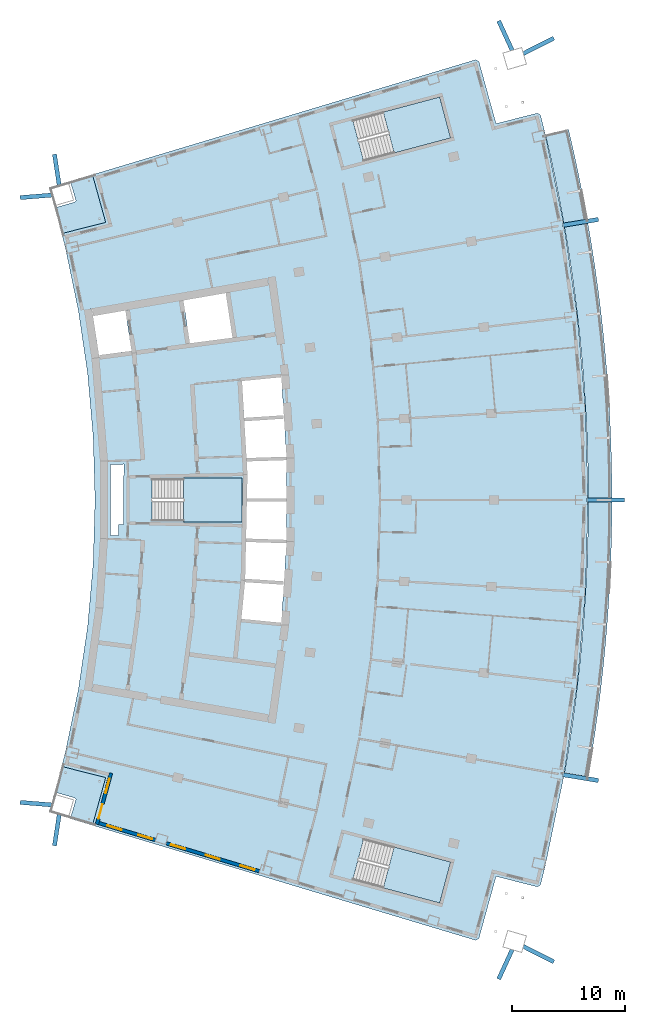
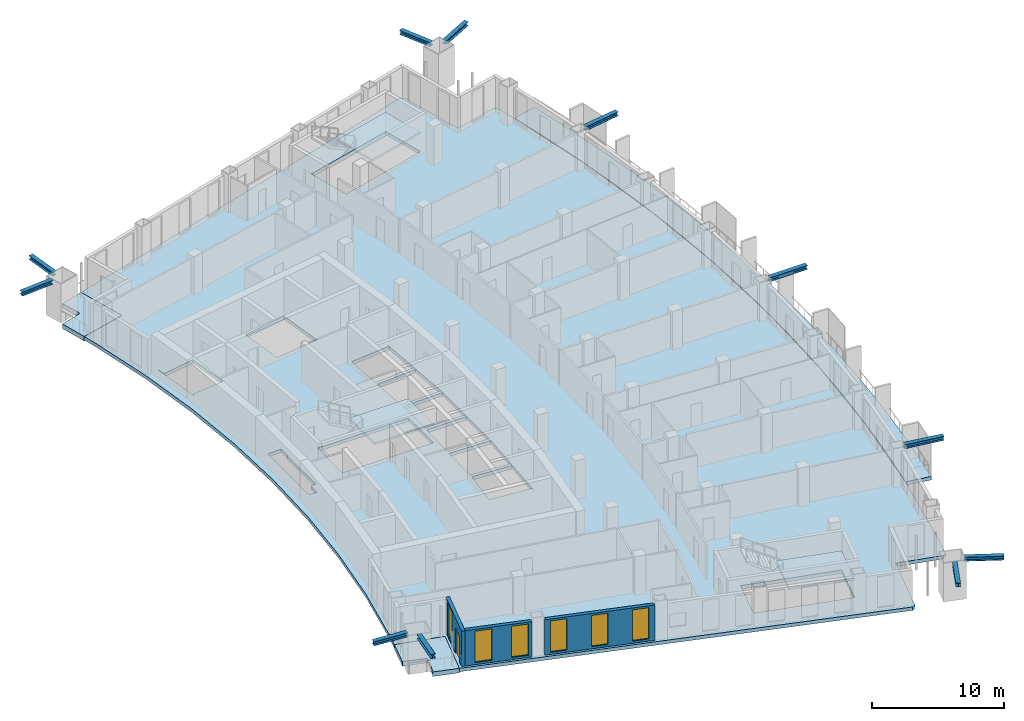
# One storey, part 10 of 20: 11 members, 7 slabs, 6 windows, 3 walls, 1 door, 7 openings, 3 elements without a shape of their own.
"""IFC4 building model written with IfcOpenShell, lengths in metres."""

from ifc_helpers import new_model, si_unit, direction, frame, frame_2d, origin, origin_2d, place, context, subcontext, project, spatial, polyline, rectangle, i_section, outline, extrude, material, layer, layer_set, material_profile, profile_set, type_object, element, fill, aggregate, save


model = new_model("IFC4")

# Units and contexts
model_context = context("Model", 3, precision=1e-05, world=origin(), true_north=direction((0.0, 1.0)))
body_context = subcontext(model_context, "Body", "Model", "MODEL_VIEW")
ifc_project = project(units=[si_unit("LENGTHUNIT", "METRE"), si_unit("AREAUNIT", "SQUARE_METRE"), si_unit("VOLUMEUNIT", "CUBIC_METRE"), si_unit("PLANEANGLEUNIT", "RADIAN"), si_unit("MASSUNIT", "GRAM", prefix="KILO")], contexts=[model_context])

# Site, building, storey
site_placement = place(None, origin())
site = spatial("IfcSite", under=ifc_project, at=site_placement, CompositionType="ELEMENT")
building_placement = place(site_placement, origin())
building = spatial("IfcBuilding", under=site, at=building_placement, Name="Alderwake Tower", CompositionType="ELEMENT")
storey_placement = place(building_placement, frame((0.0, 0.0, 178.39990234375)))
storey = spatial("IfcBuildingStorey", under=building, at=storey_placement, Name="L44", CompositionType="ELEMENT", Elevation=178.39990234375)

# Members
ifc_material_1 = material(Name="Steel ASTM A992 Grade 50", Category="steel")
ifc_material_profile = material_profile(ifc_material_1, i_section(OverallWidth=0.3740234375, OverallDepth=0.372314453125, WebThickness=0.016357421875, FlangeThickness=0.026123046875, at=origin_2d()), Name="W14X132")
ifc_profile_set = profile_set([ifc_material_profile], Name="Steel ASTM A992 Grade 50")
member_type = type_object("IfcMemberType", Name="Brace node stub W14X132", PredefinedType="MEMBER", material=ifc_profile_set)
member_1_placement = place(storey_placement, frame((57.369384765625, 36.7119140625, 3.393798828125), z_axis=(0.986824847463, -0.161792213751, 0.0), x_axis=(0.161792213751, 0.986824847463, 0.0)))
element("IfcMember", 1, at=member_1_placement, inside=storey, type_object=member_type, Name="Brace node stub BS.FR04-C5.1820", PredefinedType="MEMBER", context=body_context, shape_type="SweptSolid", body=[
    extrude(i_section(OverallWidth=0.3740234375, OverallDepth=0.372314453125, WebThickness=0.016357421875, FlangeThickness=0.026123046875, at=origin_2d()), origin(), (0.0, 0.0, 1.0), 3.1748046875),
])
member_2_placement = place(storey_placement, frame((53.85693359375, 21.541748046875, 3.393798828125), z_axis=(0.891247185853, -0.453517864818, 0.0), x_axis=(0.453517864818, 0.891247185853, 0.0)))
element("IfcMember", 2, at=member_2_placement, inside=storey, type_object=member_type, Name="Brace node stub BS.FR02-C5.1820", PredefinedType="MEMBER", context=body_context, shape_type="SweptSolid", body=[
    extrude(i_section(OverallWidth=0.3740234375, OverallDepth=0.372314453125, WebThickness=0.016357421875, FlangeThickness=0.026123046875, at=origin_2d()), origin(), (0.0, 0.0, 1.0), 3.03076171875),
])
member_3_placement = place(storey_placement, frame((59.5, 61.0, 3.393798828125), z_axis=(1.0, 0.0, 0.0), x_axis=(0.0, 1.0, 0.0)))
element("IfcMember", 3, at=member_3_placement, inside=storey, type_object=member_type, Name="Brace node stub BS.FR07-C5.1820", PredefinedType="MEMBER", context=body_context, shape_type="SweptSolid", body=[
    extrude(i_section(OverallWidth=0.3740234375, OverallDepth=0.372314453125, WebThickness=0.016357421875, FlangeThickness=0.026123046875, at=origin_2d()), origin(), (0.0, 0.0, 1.0), 3.3173828125),
])
member_4_placement = place(storey_placement, frame((57.369384765625, 85.2880859375, 3.393798828125), z_axis=(0.986824847463, 0.161792213751, 0.0), x_axis=(-0.161792213751, 0.986824847463, 0.0)))
element("IfcMember", 4, at=member_4_placement, inside=storey, type_object=member_type, Name="Brace node stub BS.FR10-C5.1820", PredefinedType="MEMBER", context=body_context, shape_type="SweptSolid", body=[
    extrude(i_section(OverallWidth=0.3740234375, OverallDepth=0.372314453125, WebThickness=0.016357421875, FlangeThickness=0.026123046875, at=origin_2d()), origin(), (0.0, 0.0, 1.0), 3.1748046875),
])
member_5_placement = place(storey_placement, frame((53.85693359375, 100.458251953125, 3.393798828125), z_axis=(0.891247185853, 0.453517864818, 0.0), x_axis=(-0.453517864818, 0.891247185853, 0.0)))
element("IfcMember", 5, at=member_5_placement, inside=storey, type_object=member_type, Name="Brace node stub BS.FR12-C5.1820", PredefinedType="MEMBER", context=body_context, shape_type="SweptSolid", body=[
    extrude(i_section(OverallWidth=0.3740234375, OverallDepth=0.372314453125, WebThickness=0.016357421875, FlangeThickness=0.026123046875, at=origin_2d()), origin(), (0.0, 0.0, 1.0), 3.03076171875),
])
for number, where, z_axis, x_axis, name in (
    (6, (12.188232421875, 34.04248046875, 3.393798828125), (-0.996647903134, 0.081810495531, 0.0), (-0.081810495531, -0.996647903134, 0.0), "Brace node stub BS.RR02-C0.1820"),
    (7, (12.188232421875, 87.95751953125, 3.393798828125), (-0.996647903134, -0.081810495531, 0.0), (0.081810495531, -0.996647903134, 0.0), "Brace node stub BS.RR12-C0.1820"),
):
    element("IfcMember", number, at=place(storey_placement, frame(where, z_axis=z_axis, x_axis=x_axis)), inside=storey, type_object=member_type, Name=name, PredefinedType="MEMBER", context=body_context, shape_type="SweptSolid", body=[
        extrude(i_section(OverallWidth=0.3740234375, OverallDepth=0.372314453125, WebThickness=0.016357421875, FlangeThickness=0.026123046875, at=origin_2d()), origin(), (0.0, 0.0, 1.0), 2.814208984375),
    ])
member_6_placement = place(storey_placement, frame((52.882568359375, 21.259521484375, 3.393798828125), z_axis=(-0.416941179755, -0.908933469856, 0.0), x_axis=(0.908933469856, -0.416941179755, 0.0)))
element("IfcMember", 8, at=member_6_placement, inside=storey, type_object=member_type, Name="Brace node stub BS.SR02-C5.1820", PredefinedType="MEMBER", context=body_context, shape_type="SweptSolid", body=[
    extrude(i_section(OverallWidth=0.3740234375, OverallDepth=0.372314453125, WebThickness=0.016357421875, FlangeThickness=0.026123046875, at=origin_2d()), origin(), (0.0, 0.0, 1.0), 2.875732421875),
])
member_7_placement = place(storey_placement, frame((12.848388671875, 33.28369140625, 3.393798828125), z_axis=(-0.149720039182, -0.988728430797, 0.0), x_axis=(0.988728430797, -0.149720039182, 0.0)))
element("IfcMember", 9, at=member_7_placement, inside=storey, type_object=member_type, Name="Brace node stub BS.SR02-C0.1820", PredefinedType="MEMBER", context=body_context, shape_type="SweptSolid", body=[
    extrude(i_section(OverallWidth=0.3740234375, OverallDepth=0.372314453125, WebThickness=0.016357421875, FlangeThickness=0.026123046875, at=origin_2d()), origin(), (0.0, 0.0, 1.0), 2.88134765625),
])
member_8_placement = place(storey_placement, frame((52.882568359375, 100.740478515625, 3.393798828125), z_axis=(-0.416941179755, 0.908933469856, 0.0), x_axis=(-0.908933469856, -0.416941179755, 0.0)))
element("IfcMember", 10, at=member_8_placement, inside=storey, type_object=member_type, Name="Brace node stub BS.NR12-C5.1820", PredefinedType="MEMBER", context=body_context, shape_type="SweptSolid", body=[
    extrude(i_section(OverallWidth=0.3740234375, OverallDepth=0.372314453125, WebThickness=0.016357421875, FlangeThickness=0.026123046875, at=origin_2d()), origin(), (0.0, 0.0, 1.0), 2.875732421875),
])
member_9_placement = place(storey_placement, frame((12.848388671875, 88.71630859375, 3.393798828125), z_axis=(-0.149720039182, 0.988728430797, 0.0), x_axis=(-0.988728430797, -0.149720039182, 0.0)))
element("IfcMember", 11, at=member_9_placement, inside=storey, type_object=member_type, Name="Brace node stub BS.NR12-C0.1820", PredefinedType="MEMBER", context=body_context, shape_type="SweptSolid", body=[
    extrude(i_section(OverallWidth=0.3740234375, OverallDepth=0.372314453125, WebThickness=0.016357421875, FlangeThickness=0.026123046875, at=origin_2d()), origin(), (0.0, 0.0, 1.0), 2.88134765625),
])

# Slabs
ifc_material_2 = material(Name="Concrete C50/60", Category="concrete")
ifc_layer_1 = layer(ifc_material_2, 0.320068359375)
ifc_layer_set_1 = layer_set([ifc_layer_1], Name="Balcony slab 320")
slab_type_1 = type_object("IfcSlabType", Name="Balcony slab 320", PredefinedType="FLOOR", material=ifc_layer_set_1)
slab_1_placement = place(storey_placement, frame((0.0, 0.0, -0.31982421875)))
element("IfcSlab", 12, at=slab_1_placement, inside=storey, type_object=slab_type_1, Name="Balcony BF04", PredefinedType="FLOOR", context=body_context, shape_type="SweptSolid", body=[
    extrude(outline(polyline([(59.880615234375, 38.3662109375), (60.19580078125, 40.40869140625), (60.481201171875, 42.455078125), (60.73681640625, 44.505859375), (60.96240234375, 46.559814453125), (61.157958984375, 48.6171875), (61.323486328125, 50.677001953125), (61.458984375, 52.739013671875), (61.564453125, 54.802490234375), (61.6396484375, 56.86767578125), (61.684814453125, 58.93359375), (61.699951171875, 61.0), (61.684814453125, 63.06640625), (61.6396484375, 65.13232421875), (61.564453125, 67.197509765625), (61.458984375, 69.260986328125), (61.323486328125, 71.322998046875), (61.157958984375, 73.3828125), (60.96240234375, 75.440185546875), (60.73681640625, 77.494140625), (60.481201171875, 79.544921875), (60.19580078125, 81.59130859375), (59.880615234375, 83.6337890625), (59.535888671875, 85.671142578125), (59.1611328125, 87.703369140625), (58.7568359375, 89.729736328125), (58.3232421875, 91.750244140625), (57.860107421875, 93.76416015625), (55.81689453125, 93.278564453125), (56.273193359375, 91.29443359375), (56.700439453125, 89.30419921875), (57.098876953125, 87.3076171875), (57.4677734375, 85.305419921875), (57.8076171875, 83.298095703125), (58.1181640625, 81.2861328125), (58.3994140625, 79.27001953125), (58.65087890625, 77.249755859375), (58.873291015625, 75.22607421875), (59.06591796875, 73.199462890625), (59.22900390625, 71.170166015625), (59.362548828125, 69.138671875), (59.46630859375, 67.105712890625), (59.54052734375, 65.071044921875), (59.585205078125, 63.035888671875), (59.60009765625, 61.0), (59.585205078125, 58.964111328125), (59.54052734375, 56.928955078125), (59.46630859375, 54.894287109375), (59.362548828125, 52.861328125), (59.22900390625, 50.829833984375), (59.06591796875, 48.800537109375), (58.873291015625, 46.77392578125), (58.65087890625, 44.750244140625), (58.3994140625, 42.72998046875), (58.1181640625, 40.7138671875), (57.8076171875, 38.701904296875), (57.4677734375, 36.694580078125), (59.535888671875, 36.328857421875), (59.880615234375, 38.3662109375)])), origin(), (0.0, 0.0, 1.0), 0.31982421875),
])
ifc_material_3 = material(Name="Concrete C50/60", Category="concrete")
ifc_layer_2 = layer(ifc_material_3, 0.320068359375)
ifc_layer_set_2 = layer_set([ifc_layer_2], Name="Concrete C50/60 post-tensioned flat plate 320")
slab_type_2 = type_object("IfcSlabType", Name="Concrete C50/60 post-tensioned flat plate 320", PredefinedType="FLOOR", material=ifc_layer_set_2)
slab_2_placement = place(storey_placement, frame((0.0, 0.0, -0.31982421875)))
element("IfcSlab", 13, at=slab_2_placement, inside=storey, type_object=slab_type_2, Name="Floor slab L44", PredefinedType="FLOOR", context=body_context, shape_type="SweptSolid", body=[
    extrude(outline(polyline([(13.06494140625, 37.443115234375), (13.3984375, 38.802734375), (14.53369140625, 44.28564453125), (15.347412109375, 49.825439453125), (15.836669921875, 55.4033203125), (16.0, 61.0), (15.836669921875, 66.5966796875), (15.347412109375, 72.174560546875), (14.53369140625, 77.71435546875), (13.3984375, 83.197265625), (13.06494140625, 84.556884765625), (16.942626953125, 85.53857421875), (15.776611328125, 89.7548828125), (49.65283203125, 99.925537109375), (49.934326171875, 99.77001953125), (51.4541015625, 94.274169921875), (55.10888671875, 95.19921875), (55.38671875, 95.0322265625), (55.81689453125, 93.278564453125), (57.4677734375, 85.305419921875), (58.65087890625, 77.249755859375), (59.362548828125, 69.138671875), (59.60009765625, 61.0), (59.362548828125, 52.861328125), (58.65087890625, 44.750244140625), (57.4677734375, 36.694580078125), (55.81689453125, 28.721435546875), (55.38671875, 26.9677734375), (55.10888671875, 26.80078125), (51.4541015625, 27.725830078125), (49.934326171875, 22.22998046875), (49.65283203125, 22.074462890625), (15.776611328125, 32.2451171875), (16.942626953125, 36.46142578125), (13.06494140625, 37.443115234375)]), holes=[polyline([(29.25732421875, 53.7685546875), (28.939697265625, 50.49072265625), (32.447509765625, 50.147705078125), (32.432861328125, 49.998291015625), (32.462646484375, 49.995361328125), (32.701416015625, 53.660888671875), (32.940185546875, 57.32666015625), (32.940185546875, 61.0), (32.940185546875, 64.67333984375), (32.701416015625, 68.339111328125), (32.462646484375, 72.004638671875), (32.432861328125, 72.001708984375), (32.447509765625, 71.852294921875), (28.886962890625, 71.50390625), (28.88720703125, 71.50048828125), (28.99462890625, 71.506591796875), (29.184814453125, 68.26025390625), (32.66162109375, 68.48681640625), (32.67138671875, 68.337158203125), (32.68115234375, 68.1875), (29.2021484375, 67.960693359375), (29.392578125, 64.7080078125), (32.9052734375, 64.822265625), (32.91015625, 64.67236328125), (32.9150390625, 64.5224609375), (29.41015625, 64.408447265625), (29.4765625, 63.27685546875), (29.429443359375, 61.14990234375), (32.91015625, 61.14990234375), (32.91015625, 61.0), (32.91015625, 60.85009765625), (29.4228515625, 60.85009765625), (29.350830078125, 57.593505859375), (32.9150390625, 57.4775390625), (32.91015625, 57.32763671875), (32.9052734375, 57.177734375), (29.34423828125, 57.29345703125), (29.2705078125, 53.9697265625), (29.274169921875, 53.969482421875), (29.2783203125, 54.0341796875), (32.68115234375, 53.8125), (32.67138671875, 53.662841796875), (32.66162109375, 53.51318359375), (29.2587890625, 53.73486328125), (29.260986328125, 53.768310546875), (29.25732421875, 53.7685546875)]), polyline([(21.050048828125, 62.875), (21.050048828125, 59.125), (29.0, 59.125), (29.0, 62.875), (21.050048828125, 62.875)]), polyline([(15.739013671875, 77.927490234375), (15.5361328125, 77.8916015625), (15.536865234375, 77.887939453125), (15.716796875, 77.91552734375), (16.379150390625, 73.605712890625), (16.4091796875, 73.609619140625), (16.38330078125, 73.80810546875), (19.224853515625, 74.1796875), (18.689697265625, 77.74365234375), (18.885986328125, 77.773193359375), (18.8837890625, 77.787109375), (15.854248046875, 77.261962890625), (15.739013671875, 77.927490234375)]), polyline([(27.555419921875, 79.29052734375), (23.811767578125, 78.6416015625), (24.384033203125, 74.8583984375), (24.373291015625, 74.856689453125), (24.373779296875, 74.85302734375), (28.152587890625, 75.347412109375), (27.555419921875, 79.29052734375)]), polyline([(47.436279296875, 28.996826171875), (39.754150390625, 31.043212890625), (38.7890625, 27.41943359375), (46.47119140625, 25.373291015625), (47.436279296875, 28.996826171875)]), polyline([(46.47119140625, 96.626708984375), (38.7890625, 94.58056640625), (39.754150390625, 90.956787109375), (47.436279296875, 93.003173828125), (46.47119140625, 96.626708984375)]), polyline([(17.389404296875, 64.1220703125), (17.389404296875, 57.8779296875), (18.06298828125, 57.85400390625), (18.090576171875, 58.84375), (18.544189453125, 58.831298828125), (18.529296875, 58.8681640625), (18.5234375, 58.891845703125), (18.5185546875, 58.940673828125), (18.5185546875, 63.060302734375), (18.5234375, 63.109130859375), (18.53759765625, 63.156005859375), (18.560791015625, 63.19921875), (18.588623046875, 63.2333984375), (18.562744140625, 64.16357421875), (17.389404296875, 64.1220703125)])]), origin(), (0.0, 0.0, 1.0), 0.31982421875),
])

# Stair, slab
ifc_material_4 = material(Name="Concrete C40/50", Category="concrete")
stair_type = type_object("IfcStairType", Name="Core exit stair", PredefinedType="HALF_TURN_STAIR", material=ifc_material_4)
stair_1_placement = place(storey_placement, origin())
stair_1 = element("IfcStair", 14, at=stair_1_placement, inside=storey, type_object=stair_type, Name="L44 Exit Stair B", PredefinedType="HALF_TURN_STAIR")
ifc_material_5 = material(Name="Concrete C40/50", Category="concrete")
ifc_layer_3 = layer(ifc_material_5, 0.199951171875)
ifc_layer_set_3 = layer_set([ifc_layer_3], Name="Core stair landing 200")
slab_type_3 = type_object("IfcSlabType", Name="Core stair landing 200", PredefinedType="LANDING", material=ifc_layer_set_3)
slab_3_placement = place(storey_placement, frame((0.0, 0.0, 1.60009765625)))
slab_3 = element("IfcSlab", 15, at=slab_3_placement, type_object=slab_type_3, Name="ST-B landing 1", PredefinedType="LANDING", context=body_context, shape_type="SweptSolid", body=[
    extrude(outline(polyline([(23.830078125, 59.074951171875), (29.0, 59.074951171875), (29.0, 62.925048828125), (23.830078125, 62.925048828125), (23.830078125, 59.074951171875)])), origin(), (0.0, 0.0, 1.0), 0.199951171875),
])
aggregate(stair_1, [slab_3])

stair_2_placement = place(storey_placement, origin())
stair_2 = element("IfcStair", 16, at=stair_2_placement, inside=storey, type_object=stair_type, Name="L44 Exit Stair A", PredefinedType="HALF_TURN_STAIR")
slab_4_placement = place(storey_placement, frame((0.0, 0.0, 1.60009765625)))
slab_4 = element("IfcSlab", 17, at=slab_4_placement, type_object=slab_type_3, Name="ST-A landing 1", PredefinedType="LANDING", context=body_context, shape_type="SweptSolid", body=[
    extrude(outline(polyline([(42.440673828125, 91.67236328125), (47.436279296875, 93.003173828125), (46.47119140625, 96.626708984375), (41.475341796875, 95.296142578125), (42.440673828125, 91.67236328125)])), origin(), (0.0, 0.0, 1.0), 0.199951171875),
])
aggregate(stair_2, [slab_4])

stair_3_placement = place(storey_placement, origin())
stair_3 = element("IfcStair", 18, at=stair_3_placement, inside=storey, type_object=stair_type, Name="L44 Exit Stair C", PredefinedType="HALF_TURN_STAIR")
slab_5_placement = place(storey_placement, frame((0.0, 0.0, 1.60009765625)))
slab_5 = element("IfcSlab", 19, at=slab_5_placement, type_object=slab_type_3, Name="ST-C landing 1", PredefinedType="LANDING", context=body_context, shape_type="SweptSolid", body=[
    extrude(outline(polyline([(41.475341796875, 26.703857421875), (46.47119140625, 25.373291015625), (47.436279296875, 28.996826171875), (42.4404296875, 30.32763671875), (41.475341796875, 26.703857421875)])), origin(), (0.0, 0.0, 1.0), 0.199951171875),
])
aggregate(stair_3, [slab_5])

# Slabs
ifc_material_6 = material(Name="Concrete C50/60", Category="concrete")
ifc_layer_4 = layer(ifc_material_6, 0.419921875)
ifc_layer_set_4 = layer_set([ifc_layer_4], Name="Terrace slab 420")
slab_type_4 = type_object("IfcSlabType", Name="Terrace slab 420", PredefinedType="FLOOR", material=ifc_layer_set_4)
slab_6_placement = place(storey_placement, frame((0.0, 0.0, -0.419921875)))
element("IfcSlab", 20, at=slab_6_placement, inside=storey, type_object=slab_type_4, Name="Corner terrace RS", PredefinedType="FLOOR", context=body_context, shape_type="SweptSolid", body=[
    extrude(outline(polyline([(15.776611328125, 32.2451171875), (13.768798828125, 32.847900390625), (13.77685546875, 32.851806640625), (13.789306640625, 32.859619140625), (13.801025390625, 32.868408203125), (13.81201171875, 32.878662109375), (13.82177734375, 32.8896484375), (13.830322265625, 32.901611328125), (13.837646484375, 32.914306640625), (13.84375, 32.927490234375), (13.8486328125, 32.94140625), (14.29443359375, 34.478271484375), (14.2978515625, 34.492431640625), (14.2998046875, 34.507080078125), (14.30029296875, 34.521728515625), (14.29931640625, 34.53662109375), (14.297119140625, 34.551025390625), (14.29345703125, 34.565185546875), (14.2880859375, 34.5791015625), (14.28173828125, 34.59228515625), (14.27392578125, 34.604736328125), (14.26513671875, 34.616455078125), (14.255126953125, 34.627197265625), (14.244140625, 34.63720703125), (14.232177734375, 34.645751953125), (14.219482421875, 34.653076171875), (14.2060546875, 34.6591796875), (14.192138671875, 34.6640625), (12.46337890625, 35.16552734375), (12.456787109375, 35.1669921875), (12.71142578125, 36.08837890625), (13.06494140625, 37.443115234375), (16.942626953125, 36.46142578125), (15.776611328125, 32.2451171875)])), origin(), (0.0, 0.0, 1.0), 0.419921875),
])
slab_7_placement = place(storey_placement, frame((0.0, 0.0, -0.419921875)))
element("IfcSlab", 21, at=slab_7_placement, inside=storey, type_object=slab_type_4, Name="Corner terrace RN", PredefinedType="FLOOR", context=body_context, shape_type="SweptSolid", body=[
    extrude(outline(polyline([(12.456787109375, 86.8330078125), (12.46337890625, 86.83447265625), (14.192138671875, 87.3359375), (14.2060546875, 87.3408203125), (14.219482421875, 87.346923828125), (14.232177734375, 87.354248046875), (14.244140625, 87.36279296875), (14.255126953125, 87.372802734375), (14.26513671875, 87.383544921875), (14.27392578125, 87.395263671875), (14.28173828125, 87.40771484375), (14.2880859375, 87.4208984375), (14.29345703125, 87.434814453125), (14.297119140625, 87.448974609375), (14.29931640625, 87.46337890625), (14.30029296875, 87.478271484375), (14.2998046875, 87.492919921875), (14.2978515625, 87.507568359375), (14.29443359375, 87.521728515625), (13.8486328125, 89.05859375), (13.84375, 89.072509765625), (13.837646484375, 89.085693359375), (13.830322265625, 89.098388671875), (13.82177734375, 89.1103515625), (13.81201171875, 89.121337890625), (13.801025390625, 89.131591796875), (13.789306640625, 89.140380859375), (13.77685546875, 89.148193359375), (13.768798828125, 89.152099609375), (15.776611328125, 89.7548828125), (16.942626953125, 85.53857421875), (13.06494140625, 84.556884765625), (12.71142578125, 85.91162109375), (12.456787109375, 86.8330078125)])), origin(), (0.0, 0.0, 1.0), 0.419921875),
])

# Wall, openings, door, window
ifc_material_7 = material(Name="Bronze metal cladding on lightweight framing")
ifc_layer_5 = layer(ifc_material_7, 0.300048828125)
ifc_layer_set_5 = layer_set([ifc_layer_5], Name="External wall EW2 bronze metal cladding")
wall_type = type_object("IfcWallType", Name="External wall EW2 bronze metal cladding", PredefinedType="SOLIDWALL", material=ifc_layer_set_5)
wall_1_placement = place(storey_placement, frame((17.410400390625, 36.85888671875, 0.0), z_axis=(0.0, 0.0, 1.0), x_axis=(-0.264592640785, -0.96436027212, 0.0)))
wall_1 = element("IfcWall", 22, at=wall_1_placement, inside=storey, type_object=wall_type, Name="External wall 3", PredefinedType="SOLIDWALL", context=body_context, shape_type="SweptSolid", body=[
    extrude(rectangle(XDim=4.690185546875, YDim=0.300048828125, at=frame_2d((2.34521484375, 0.0))), origin(), (0.0, 0.0, 1.0), 3.280029296875),
])
opening_1_placement = place(wall_1_placement, frame((0.5224609375, 0.0, 0.199951171875)))
opening_1 = element("IfcOpeningElement", 23, at=opening_1_placement, cuts=wall_1, Name="Opening W1", PredefinedType="OPENING", context=body_context, shape_type="SweptSolid", body=[
    extrude(rectangle(XDim=1.300048828125, YDim=2.89990234375, at=frame_2d((0.64990234375, 1.449951171875))), frame((0.0, 0.159912109375, 0.0), z_axis=(0.0, -1.0, 0.0), x_axis=(1.0, 0.0, 0.0)), (0.0, 0.0, 1.0), 0.320068359375),
])
opening_2_placement = place(wall_1_placement, frame((2.867431640625, 0.0, 0.0)))
opening_2 = element("IfcOpeningElement", 24, at=opening_2_placement, cuts=wall_1, Name="Opening D01", PredefinedType="OPENING", context=body_context, shape_type="SweptSolid", body=[
    extrude(rectangle(XDim=1.300048828125, YDim=2.39990234375, at=frame_2d((0.64990234375, 1.199951171875))), frame((0.0, 0.159912109375, 0.0), z_axis=(0.0, -1.0, 0.0), x_axis=(1.0, 0.0, 0.0)), (0.0, 0.0, 1.0), 0.320068359375),
])
ifc_material_8 = material(Name="Bronze tinted glass in aluminium frame", Category="aluminium")
door_type = type_object("IfcDoorType", Name="Balcony door BD sliding", OperationType="SLIDING_TO_LEFT", PredefinedType="DOOR", material=ifc_material_8)
door_placement = place(opening_2_placement, origin())
door = element("IfcDoor", 25, at=door_placement, inside=storey, type_object=door_type, Name="Door D01", OperationType="SLIDING_TO_LEFT", OverallHeight=2.39990234375, OverallWidth=1.300048828125, PredefinedType="DOOR", context=body_context, shape_type="SweptSolid", body=[
    extrude(rectangle(XDim=1.300048828125, YDim=2.39990234375, at=frame_2d((0.64990234375, 1.199951171875))), frame((0.0, 0.02490234375, 0.0), z_axis=(0.0, -1.0, 0.0), x_axis=(1.0, 0.0, 0.0)), (0.0, 0.0, 1.0), 0.050048828125),
])
fill(opening_2, door)
ifc_material_9 = material(Name="Bronze tinted glass in aluminium frame", Category="aluminium")
window_type = type_object("IfcWindowType", Name="Window W1 tall fixed and vent", PartitioningType="DOUBLE_PANEL_VERTICAL", PredefinedType="WINDOW", material=ifc_material_9)
window_1_placement = place(opening_1_placement, origin())
window_1 = element("IfcWindow", 26, at=window_1_placement, inside=storey, type_object=window_type, Name="Window W1 tall fixed and vent", OverallHeight=2.89990234375, OverallWidth=1.300048828125, PartitioningType="DOUBLE_PANEL_VERTICAL", PredefinedType="WINDOW", context=body_context, shape_type="SweptSolid", body=[
    extrude(rectangle(XDim=1.300048828125, YDim=2.89990234375, at=frame_2d((0.64990234375, 1.449951171875))), frame((0.0, 0.030029296875, 0.0), z_axis=(0.0, -1.0, 0.0), x_axis=(1.0, 0.0, 0.0)), (0.0, 0.0, 1.0), 0.06005859375),
])
fill(opening_1, window_1)

# Wall, openings, windows
wall_2_placement = place(storey_placement, frame((16.352783203125, 32.4375, 0.0), z_axis=(0.0, 0.0, 1.0), x_axis=(0.95776681843, -0.287546033732, 0.0)))
wall_2 = element("IfcWall", 27, at=wall_2_placement, inside=storey, type_object=wall_type, Name="External wall 4", PredefinedType="SOLIDWALL", context=body_context, shape_type="SweptSolid", body=[
    extrude(rectangle(XDim=5.199462890625, YDim=0.300048828125, at=frame_2d((2.599609375, 0.0))), origin(), (0.0, 0.0, 1.0), 3.280029296875),
])
opening_3_placement = place(wall_2_placement, frame((0.775390625, 0.0, 0.199951171875)))
opening_3 = element("IfcOpeningElement", 28, at=opening_3_placement, cuts=wall_2, Name="Opening W1", PredefinedType="OPENING", context=body_context, shape_type="SweptSolid", body=[
    extrude(rectangle(XDim=1.300048828125, YDim=2.89990234375, at=frame_2d((0.64990234375, 1.449951171875))), frame((0.0, 0.159912109375, 0.0), z_axis=(0.0, -1.0, 0.0), x_axis=(1.0, 0.0, 0.0)), (0.0, 0.0, 1.0), 0.320068359375),
])
opening_4_placement = place(wall_2_placement, frame((3.626220703125, 0.0, 0.199951171875)))
opening_4 = element("IfcOpeningElement", 29, at=opening_4_placement, cuts=wall_2, Name="Opening W1", PredefinedType="OPENING", context=body_context, shape_type="SweptSolid", body=[
    extrude(rectangle(XDim=1.300048828125, YDim=2.89990234375, at=frame_2d((0.64990234375, 1.449951171875))), frame((0.0, 0.159912109375, 0.0), z_axis=(0.0, -1.0, 0.0), x_axis=(1.0, 0.0, 0.0)), (0.0, 0.0, 1.0), 0.320068359375),
])
window_2_placement = place(opening_3_placement, origin())
window_2 = element("IfcWindow", 30, at=window_2_placement, inside=storey, type_object=window_type, Name="Window W1 tall fixed and vent", OverallHeight=2.89990234375, OverallWidth=1.300048828125, PartitioningType="DOUBLE_PANEL_VERTICAL", PredefinedType="WINDOW", context=body_context, shape_type="SweptSolid", body=[
    extrude(rectangle(XDim=1.300048828125, YDim=2.89990234375, at=frame_2d((0.64990234375, 1.449951171875))), frame((0.0, 0.030029296875, 0.0), z_axis=(0.0, -1.0, 0.0), x_axis=(1.0, 0.0, 0.0)), (0.0, 0.0, 1.0), 0.06005859375),
])
fill(opening_3, window_2)
window_3_placement = place(opening_4_placement, origin())
window_3 = element("IfcWindow", 31, at=window_3_placement, inside=storey, type_object=window_type, Name="Window W1 tall fixed and vent", OverallHeight=2.89990234375, OverallWidth=1.300048828125, PartitioningType="DOUBLE_PANEL_VERTICAL", PredefinedType="WINDOW", context=body_context, shape_type="SweptSolid", body=[
    extrude(rectangle(XDim=1.300048828125, YDim=2.89990234375, at=frame_2d((0.64990234375, 1.449951171875))), frame((0.0, 0.030029296875, 0.0), z_axis=(0.0, -1.0, 0.0), x_axis=(1.0, 0.0, 0.0)), (0.0, 0.0, 1.0), 0.06005859375),
])
fill(opening_4, window_3)

wall_3_placement = place(storey_placement, frame((22.294677734375, 30.653564453125, 0.0), z_axis=(0.0, 0.0, 1.0), x_axis=(0.957768419769, -0.287540699891, 0.0)))
wall_3 = element("IfcWall", 32, at=wall_3_placement, inside=storey, type_object=wall_type, Name="External wall 5", PredefinedType="SOLIDWALL", context=body_context, shape_type="SweptSolid", body=[
    extrude(rectangle(XDim=8.595947265625, YDim=0.300048828125, at=frame_2d((4.2978515625, 0.0))), origin(), (0.0, 0.0, 1.0), 3.280029296875),
])
opening_5_placement = place(wall_3_placement, frame((0.44775390625, 0.0, 0.199951171875)))
opening_5 = element("IfcOpeningElement", 33, at=opening_5_placement, cuts=wall_3, Name="Opening W1", PredefinedType="OPENING", context=body_context, shape_type="SweptSolid", body=[
    extrude(rectangle(XDim=1.300048828125, YDim=2.89990234375, at=frame_2d((0.64990234375, 1.449951171875))), frame((0.0, 0.159912109375, 0.0), z_axis=(0.0, -1.0, 0.0), x_axis=(1.0, 0.0, 0.0)), (0.0, 0.0, 1.0), 0.320068359375),
])
opening_6_placement = place(wall_3_placement, frame((3.647705078125, 0.0, 0.199951171875)))
opening_6 = element("IfcOpeningElement", 34, at=opening_6_placement, cuts=wall_3, Name="Opening W1", PredefinedType="OPENING", context=body_context, shape_type="SweptSolid", body=[
    extrude(rectangle(XDim=1.300048828125, YDim=2.89990234375, at=frame_2d((0.64990234375, 1.449951171875))), frame((0.0, 0.159912109375, 0.0), z_axis=(0.0, -1.0, 0.0), x_axis=(1.0, 0.0, 0.0)), (0.0, 0.0, 1.0), 0.320068359375),
])
opening_7_placement = place(wall_3_placement, frame((6.847900390625, 0.0, 0.199951171875)))
opening_7 = element("IfcOpeningElement", 35, at=opening_7_placement, cuts=wall_3, Name="Opening W1", PredefinedType="OPENING", context=body_context, shape_type="SweptSolid", body=[
    extrude(rectangle(XDim=1.300048828125, YDim=2.89990234375, at=frame_2d((0.64990234375, 1.449951171875))), frame((0.0, 0.159912109375, 0.0), z_axis=(0.0, -1.0, 0.0), x_axis=(1.0, 0.0, 0.0)), (0.0, 0.0, 1.0), 0.320068359375),
])
window_4_placement = place(opening_5_placement, origin())
window_4 = element("IfcWindow", 36, at=window_4_placement, inside=storey, type_object=window_type, Name="Window W1 tall fixed and vent", OverallHeight=2.89990234375, OverallWidth=1.300048828125, PartitioningType="DOUBLE_PANEL_VERTICAL", PredefinedType="WINDOW", context=body_context, shape_type="SweptSolid", body=[
    extrude(rectangle(XDim=1.300048828125, YDim=2.89990234375, at=frame_2d((0.64990234375, 1.449951171875))), frame((0.0, 0.030029296875, 0.0), z_axis=(0.0, -1.0, 0.0), x_axis=(1.0, 0.0, 0.0)), (0.0, 0.0, 1.0), 0.06005859375),
])
fill(opening_5, window_4)
window_5_placement = place(opening_6_placement, origin())
window_5 = element("IfcWindow", 37, at=window_5_placement, inside=storey, type_object=window_type, Name="Window W1 tall fixed and vent", OverallHeight=2.89990234375, OverallWidth=1.300048828125, PartitioningType="DOUBLE_PANEL_VERTICAL", PredefinedType="WINDOW", context=body_context, shape_type="SweptSolid", body=[
    extrude(rectangle(XDim=1.300048828125, YDim=2.89990234375, at=frame_2d((0.64990234375, 1.449951171875))), frame((0.0, 0.030029296875, 0.0), z_axis=(0.0, -1.0, 0.0), x_axis=(1.0, 0.0, 0.0)), (0.0, 0.0, 1.0), 0.06005859375),
])
fill(opening_6, window_5)
window_6_placement = place(opening_7_placement, origin())
window_6 = element("IfcWindow", 38, at=window_6_placement, inside=storey, type_object=window_type, Name="Window W1 tall fixed and vent", OverallHeight=2.89990234375, OverallWidth=1.300048828125, PartitioningType="DOUBLE_PANEL_VERTICAL", PredefinedType="WINDOW", context=body_context, shape_type="SweptSolid", body=[
    extrude(rectangle(XDim=1.300048828125, YDim=2.89990234375, at=frame_2d((0.64990234375, 1.449951171875))), frame((0.0, 0.030029296875, 0.0), z_axis=(0.0, -1.0, 0.0), x_axis=(1.0, 0.0, 0.0)), (0.0, 0.0, 1.0), 0.06005859375),
])
fill(opening_7, window_6)

save(model, "model.ifc")
